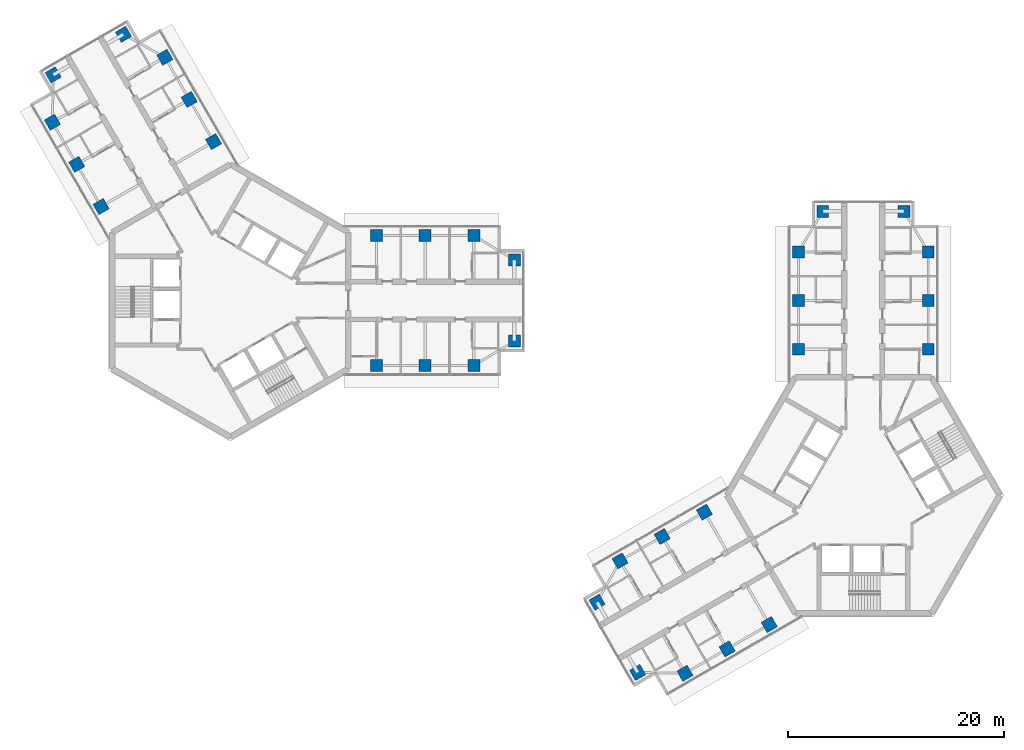
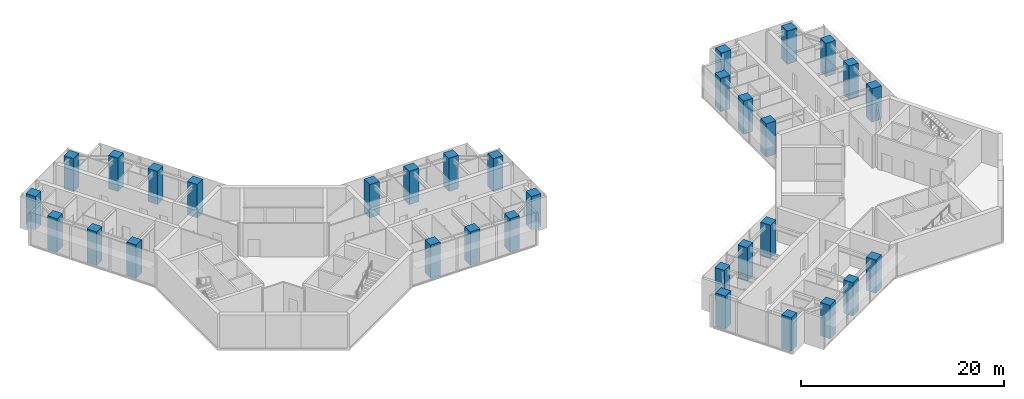
# One storey, part 1 of 18: 32 columns.
"""IFC4 building model written with IfcOpenShell, lengths in metres."""

from ifc_helpers import new_model, si_unit, direction, frame, origin, origin_2d, place, context, subcontext, project, spatial, rectangle, extrude, material, material_profile, profile_set, type_object, element, save


model = new_model("IFC4")

# Units and contexts
model_context = context("Model", 3, precision=1e-05, world=origin(), true_north=direction((0.0, 1.0)))
body_context = subcontext(model_context, "Body", "Model", "MODEL_VIEW")
ifc_project = project(units=[si_unit("LENGTHUNIT", "METRE"), si_unit("AREAUNIT", "SQUARE_METRE"), si_unit("VOLUMEUNIT", "CUBIC_METRE"), si_unit("PLANEANGLEUNIT", "RADIAN"), si_unit("MASSUNIT", "GRAM", prefix="KILO")], contexts=[model_context])

# Site, building, storey
site_placement = place(None, origin())
site = spatial("IfcSite", under=ifc_project, at=site_placement, CompositionType="ELEMENT")
building_placement = place(site_placement, origin())
building = spatial("IfcBuilding", under=site, at=building_placement, Name="Upepo Twin Towers", CompositionType="ELEMENT")
storey_placement = place(building_placement, frame((0.0, 0.0, 218.5)))
storey = spatial("IfcBuildingStorey", under=building, at=storey_placement, Name="L53", CompositionType="ELEMENT", Elevation=218.5)

# Columns
ifc_material = material(Name="Concrete C60/75", Category="concrete")
ifc_material_profile = material_profile(ifc_material, rectangle(XDim=1.10009765625, YDim=1.10009765625, at=origin_2d()), Name="RC 1100x1100")
ifc_profile_set = profile_set([ifc_material_profile], Name="Concrete C60/75")
column_type = type_object("IfcColumnType", Name="Tower column RC 1100x1100", PredefinedType="COLUMN", material=ifc_profile_set)
for number, where, z_axis, x_axis, name in (
    (1, (13.5, 6.0, 0.0), (0.0, 0.0, 1.0), (1.0, 0.0, 0.0), "T1 column AL135"),
    (2, (13.5, -6.0, 0.0), (0.0, 0.0, 1.0), (1.0, 0.0, 0.0), "T1 column AR135"),
    (3, (18.0, 6.0, 0.0), (0.0, 0.0, 1.0), (1.0, 0.0, 0.0), "T1 column AL180"),
    (4, (18.0, -6.0, 0.0), (0.0, 0.0, 1.0), (1.0, 0.0, 0.0), "T1 column AR180"),
    (5, (22.5, 6.0, 0.0), (0.0, 0.0, 1.0), (1.0, 0.0, 0.0), "T1 column AL225"),
    (6, (22.5, -6.0, 0.0), (0.0, 0.0, 1.0), (1.0, 0.0, 0.0), "T1 column AR225"),
    (7, (26.25, 3.75, 0.0), (0.0, 0.0, 1.0), (1.0, 0.0, 0.0), "T1 column ALN"),
    (8, (26.25, -3.75, 0.0), (0.0, 0.0, 1.0), (1.0, 0.0, 0.0), "T1 column ARN"),
    (9, (-11.946044921875, 8.69140625, 0.0), (0.0, 0.0, 1.0), (0.866025403784, 0.5, 0.0), "T1 column BL135"),
    (10, (-1.553955078125, 14.69140625, 0.0), (0.0, 0.0, 1.0), (0.866025403784, 0.5, 0.0), "T1 column BR135"),
    (11, (-14.196044921875, 12.58837890625, 0.0), (0.0, 0.0, 1.0), (0.866025403784, 0.5, 0.0), "T1 column BL180"),
    (12, (-3.803955078125, 18.58837890625, 0.0), (0.0, 0.0, 1.0), (0.866025403784, 0.5, 0.0), "T1 column BR180"),
    (13, (-16.446044921875, 16.485595703125, 0.0), (0.0, 0.0, 1.0), (0.866025403784, 0.5, 0.0), "T1 column BL225"),
    (14, (-6.053955078125, 22.485595703125, 0.0), (0.0, 0.0, 1.0), (0.866025403784, 0.5, 0.0), "T1 column BR225"),
    (15, (-16.37255859375, 20.858154296875, 0.0), (0.0, 0.0, 1.0), (0.866025403784, 0.5, 0.0), "T1 column BLN"),
    (16, (-9.87744140625, 24.608154296875, 0.0), (0.0, 0.0, 1.0), (0.866025403784, 0.5, 0.0), "T1 column BRN"),
    (17, (52.5, -4.5, 0.0), (0.0, 0.0, 1.0), (1.0, 0.0, 0.0), "T2 column AL135"),
    (18, (64.5, -4.5, 0.0), (0.0, 0.0, 1.0), (1.0, 0.0, 0.0), "T2 column AR135"),
    (19, (52.5, 0.0, 0.0), (0.0, 0.0, 1.0), (1.0, 0.0, 0.0), "T2 column AL180"),
    (20, (64.5, 0.0, 0.0), (0.0, 0.0, 1.0), (1.0, 0.0, 0.0), "T2 column AR180"),
    (21, (52.5, 4.5, 0.0), (0.0, 0.0, 1.0), (1.0, 0.0, 0.0), "T2 column AL225"),
    (22, (64.5, 4.5, 0.0), (0.0, 0.0, 1.0), (1.0, 0.0, 0.0), "T2 column AR225"),
    (23, (54.75, 8.25, 0.0), (0.0, 0.0, 1.0), (1.0, 0.0, 0.0), "T2 column ALN"),
    (24, (62.25, 8.25, 0.0), (0.0, 0.0, 1.0), (1.0, 0.0, 0.0), "T2 column ARN"),
    (25, (49.80859375, -29.946044921875, 0.0), (0.0, 0.0, 1.0), (0.866025403784, 0.5, 0.0), "T2 column BL135"),
    (26, (43.80859375, -19.553955078125, 0.0), (0.0, 0.0, 1.0), (0.866025403784, 0.5, 0.0), "T2 column BR135"),
    (27, (45.91162109375, -32.196044921875, 0.0), (0.0, 0.0, 1.0), (0.866025403784, 0.5, 0.0), "T2 column BL180"),
    (28, (39.91162109375, -21.803955078125, 0.0), (0.0, 0.0, 1.0), (0.866025403784, 0.5, 0.0), "T2 column BR180"),
    (29, (42.014404296875, -34.446044921875, 0.0), (0.0, 0.0, 1.0), (0.866025403784, 0.5, 0.0), "T2 column BL225"),
    (30, (36.014404296875, -24.053955078125, 0.0), (0.0, 0.0, 1.0), (0.866025403784, 0.5, 0.0), "T2 column BR225"),
    (31, (37.641845703125, -34.37255859375, 0.0), (0.0, 0.0, 1.0), (0.866025403784, 0.5, 0.0), "T2 column BLN"),
    (32, (33.891845703125, -27.87744140625, 0.0), (0.0, 0.0, 1.0), (0.866025403784, 0.5, 0.0), "T2 column BRN"),
):
    element("IfcColumn", number, at=place(storey_placement, frame(where, z_axis=z_axis, x_axis=x_axis)), inside=storey, type_object=column_type, Name=name, PredefinedType="COLUMN", context=body_context, shape_type="SweptSolid", body=[
        extrude(rectangle(XDim=1.10009765625, YDim=1.10009765625, at=origin_2d()), origin(), (0.0, 0.0, 1.0), 4.0),
    ])

save(model, "model.ifc")
